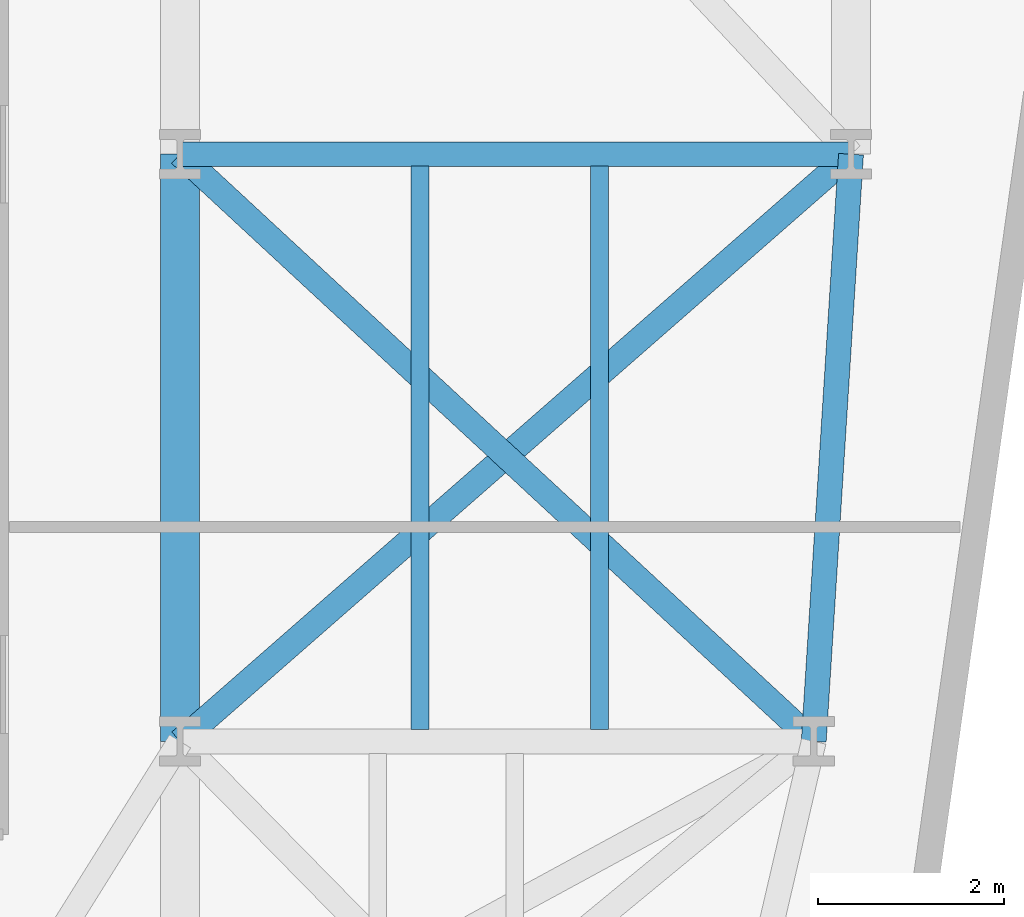
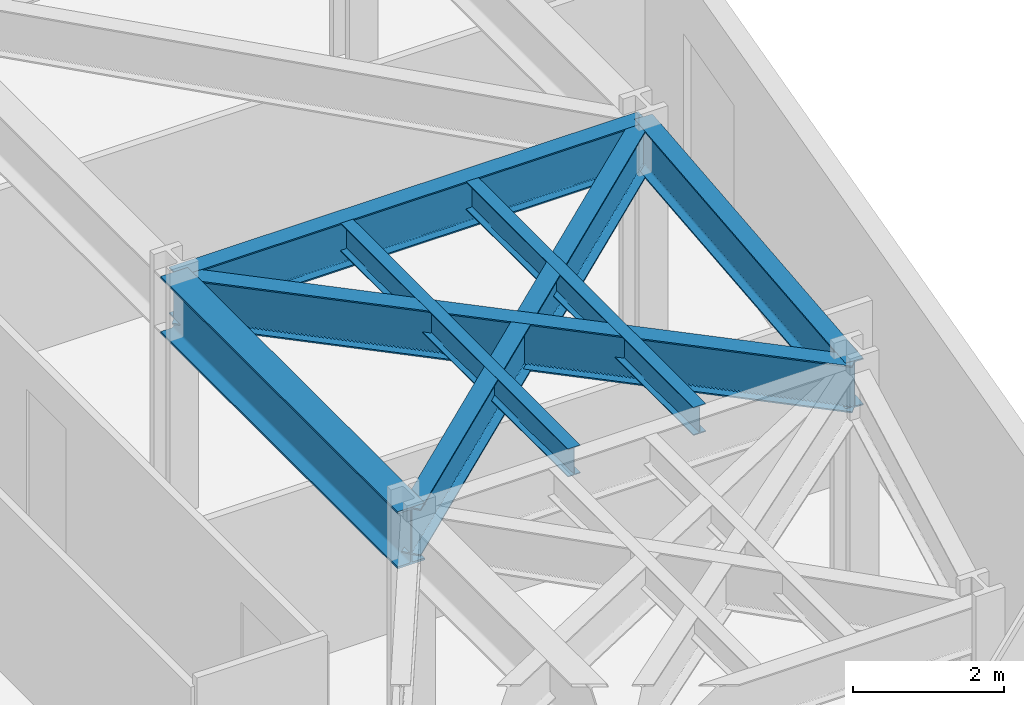
# One storey, part 14 of 24: 7 beams.
"""IFC4 building model written with IfcOpenShell, lengths in metres."""

import ifcopenshell
import ifcopenshell.guid

model = None  # the IFC model being written
_history = None  # IfcOwnerHistory: only IFC2X3 demands one
_inside = {}  # id of a spatial element -> (the spatial element, [elements in it])
_under = {}  # id of a project, library or spatial element -> (it, [spatial elements below it])
_declared = {}  # id of a project -> (the project, [libraries it declares])
_typed = {}  # id of a type object -> (the type object, [elements of that type])
_made_of = {}  # id of a material, layer set ... -> (it, [elements and type objects made of it])


def new_model(schema):
    """Start an empty IFC model of exactly this schema.

    Asked for "IFC4X3", IfcOpenShell would pick the latest addendum, in which some entities
    have other attributes; the version numbers below select the first issue.
    IFC2X3 requires an IfcOwnerHistory on every rooted entity: one is made here for all.
    """
    global model, _history
    if schema == "IFC4X3":
        model = ifcopenshell.file(schema_version=(4, 3, 0, 0))
    else:
        model = ifcopenshell.file(schema=schema)
    _inside.clear()
    _under.clear()
    _declared.clear()
    _typed.clear()
    _made_of.clear()
    _history = None
    if model.schema == "IFC2X3":
        org = make("IfcOrganization", Name="unknown")
        user = make(
            "IfcPersonAndOrganization",
            ThePerson=make("IfcPerson", FamilyName="unknown"),
            TheOrganization=org,
        )
        app = make(
            "IfcApplication",
            ApplicationDeveloper=org,
            Version="unknown",
            ApplicationFullName="unknown",
            ApplicationIdentifier="unknown",
        )
        _history = make(
            "IfcOwnerHistory",
            OwningUser=user,
            OwningApplication=app,
            ChangeAction="ADDED",
            CreationDate=0,
        )
    return model


def make(cls, **values):
    """One entity of the class cls with the attributes given. An attribute that is None is left unset."""
    return model.create_entity(
        cls, **{name: value for name, value in values.items() if value is not None}
    )


def rooted(cls, **values):
    """An entity with a GlobalId (a new one), such as an element, a storey or a relation."""
    return make(cls, GlobalId=ifcopenshell.guid.new(), OwnerHistory=_history, **values)


def si_unit(unit_type, name, prefix=None):
    """IfcSIUnit, for example si_unit("LENGTHUNIT", "METRE", prefix="MILLI")."""
    return make("IfcSIUnit", UnitType=unit_type, Prefix=prefix, Name=name)


def assignment(units):
    """IfcUnitAssignment: the units of a project."""
    return None if units is None else make("IfcUnitAssignment", Units=units)


def point(xyz):
    """IfcCartesianPoint."""
    return None if xyz is None else make("IfcCartesianPoint", Coordinates=xyz)


def direction(xyz):
    """IfcDirection."""
    return None if xyz is None else make("IfcDirection", DirectionRatios=xyz)


def frame(location, z_axis=None, x_axis=None):
    """IfcAxis2Placement3D, a coordinate frame: its origin and axes. An axis left out is left unset."""
    return make(
        "IfcAxis2Placement3D",
        Location=point(location),
        Axis=direction(z_axis),
        RefDirection=direction(x_axis),
    )


def frame_2d(location, x_axis=None):
    """IfcAxis2Placement2D, a coordinate frame in the plane: its origin and x axis."""
    return make(
        "IfcAxis2Placement2D", Location=point(location), RefDirection=direction(x_axis)
    )


def origin():
    """The frame at (0, 0, 0) with its axes left unset."""
    return frame((0.0, 0.0, 0.0))


def origin_2d():
    """The frame at (0, 0) in the plane with its x axis left unset."""
    return frame_2d((0.0, 0.0))


def place(relative_to, where):
    """IfcLocalPlacement: puts the frame where relative to a parent placement (None: the world)."""
    return make(
        "IfcLocalPlacement", PlacementRelTo=relative_to, RelativePlacement=where
    )


def context(
    kind, dimensions, precision=None, world=None, true_north=None, identifier=None
):
    """IfcGeometricRepresentationContext, for example the 3D "Model" context."""
    return make(
        "IfcGeometricRepresentationContext",
        ContextIdentifier=identifier,
        ContextType=kind,
        CoordinateSpaceDimension=dimensions,
        Precision=precision,
        WorldCoordinateSystem=world,
        TrueNorth=true_north,
    )


def subcontext(parent, identifier, kind, view, scale=None):
    """IfcGeometricRepresentationSubContext, for example "Body" below "Model"."""
    return make(
        "IfcGeometricRepresentationSubContext",
        ContextIdentifier=identifier,
        ContextType=kind,
        ParentContext=parent,
        TargetScale=scale,
        TargetView=view,
    )


def project(units=None, contexts=None):
    """IfcProject with its units and contexts."""
    return rooted(
        "IfcProject",
        Name="project",
        RepresentationContexts=contexts,
        UnitsInContext=assignment(units),
    )


def spatial(cls, under=None, at=None, **own):
    """A site, building, storey or space (cls), placed at a placement, below another one or the project."""
    s = rooted(cls, ObjectPlacement=at, **own)
    if under is not None:
        _under.setdefault(under.id(), (under, []))[1].append(s)
    return s


def profile(cls, at=None, kind="AREA", **sizes):
    """A parametric profile (cls). Its sizes go by their IFC names, for example OverallWidth=200.0."""
    return make(cls, ProfileType=kind, Position=at, **sizes)


def i_section(**sizes):
    """IfcIShapeProfileDef."""
    return profile("IfcIShapeProfileDef", **sizes)


def extrude(swept, where, along, depth):
    """IfcExtrudedAreaSolid: the profile swept, set in the frame where, extruded along a direction by depth."""
    return make(
        "IfcExtrudedAreaSolid",
        SweptArea=swept,
        Position=where,
        ExtrudedDirection=direction(along),
        Depth=depth,
    )


def shape(context_of_items, identifier, shape_type, items):
    """IfcShapeRepresentation: the items that make up one representation, for example the "Body"."""
    return make(
        "IfcShapeRepresentation",
        ContextOfItems=context_of_items,
        RepresentationIdentifier=identifier,
        RepresentationType=shape_type,
        Items=items,
    )


def material(Name=None, Category=None):
    """IfcMaterial."""
    return make("IfcMaterial", Name=Name, Category=Category)


def material_profile(
    of_material, cross_section, Name=None, Category=None, Priority=None
):
    """IfcMaterialProfile: a cross section and its material."""
    return make(
        "IfcMaterialProfile",
        Name=Name,
        Material=of_material,
        Profile=cross_section,
        Priority=Priority,
        Category=Category,
    )


def profile_set(profiles, Name=None, composite=None):
    """IfcMaterialProfileSet."""
    return make(
        "IfcMaterialProfileSet",
        Name=Name,
        MaterialProfiles=profiles,
        CompositeProfile=composite,
    )


def made_of(thing, what):
    """Note that an element or type object is made of a material, layer set ...; save() writes the relation."""
    if what is not None:
        _made_of.setdefault(what.id(), (what, []))[1].append(thing)
    return thing


def type_object(cls, material=None, **own):
    """A type object (cls), such as IfcWallType, which elements share."""
    return made_of(rooted(cls, **own), material)


def element(
    cls,
    number,
    at=None,
    inside=None,
    cuts=None,
    type_object=None,
    material=None,
    context=None,
    identifier="Body",
    shape_type=None,
    held_by="IfcProductDefinitionShape",
    body=None,
    shapes=None,
    **own,
):
    """One element of the class cls, such as IfcWall. Its Tag is "e" and its number.

    at: its placement. inside: the storey or other place that contains it. cuts: it is an
    opening in that element (IfcRelVoidsElement). A single representation is given by context,
    identifier, shape_type and body (its items); several are given by shapes. held_by: the class
    of the entity that holds the representations. save() writes the other relations.
    """
    e = rooted(cls, Tag="e%d" % number, ObjectPlacement=at, **own)
    if body is not None:
        shapes = [shape(context, identifier, shape_type, body)]
    if shapes is not None:
        e.Representation = make(held_by, Representations=shapes)
    if inside is not None:
        _inside.setdefault(inside.id(), (inside, []))[1].append(e)
    if cuts is not None:
        rooted(
            "IfcRelVoidsElement", RelatingBuildingElement=cuts, RelatedOpeningElement=e
        )
    if type_object is not None:
        _typed.setdefault(type_object.id(), (type_object, []))[1].append(e)
    return made_of(e, material)


def aggregate(whole, parts):
    """IfcRelAggregates: a whole, such as a stair, and the parts it consists of."""
    return rooted("IfcRelAggregates", RelatingObject=whole, RelatedObjects=parts)


def save(model, path):
    """Write the relations noted so far, then the file.

    IfcRelAggregates (storeys below a building ...), IfcRelContainedInSpatialStructure (elements
    in a storey), IfcRelDefinesByType, IfcRelAssociatesMaterial and IfcRelDeclares: one each for
    every whole, place, type object, material and project.
    """
    for whole, parts in _under.values():
        aggregate(whole, parts)
    for where, things in _inside.values():
        rooted(
            "IfcRelContainedInSpatialStructure",
            RelatedElements=things,
            RelatingStructure=where,
        )
    for kind, things in _typed.values():
        rooted("IfcRelDefinesByType", RelatedObjects=things, RelatingType=kind)
    for what, things in _made_of.values():
        rooted("IfcRelAssociatesMaterial", RelatedObjects=things, RelatingMaterial=what)
    for by, libraries in _declared.values():
        rooted("IfcRelDeclares", RelatingContext=by, RelatedDefinitions=libraries)
    model.write(path)


model = new_model("IFC4")

# Units and contexts
model_context = context("Model", 3, precision=1e-05, world=origin(), true_north=direction((0.0, 1.0)))
body_context = subcontext(model_context, "Body", "Model", "MODEL_VIEW")
ifc_project = project(units=[si_unit("LENGTHUNIT", "METRE"), si_unit("AREAUNIT", "SQUARE_METRE"), si_unit("VOLUMEUNIT", "CUBIC_METRE"), si_unit("PLANEANGLEUNIT", "RADIAN"), si_unit("MASSUNIT", "GRAM", prefix="KILO")], contexts=[model_context])

# Site, building, storey
site_placement = place(None, origin())
site = spatial("IfcSite", under=ifc_project, at=site_placement, CompositionType="ELEMENT")
building_placement = place(site_placement, origin())
building = spatial("IfcBuilding", under=site, at=building_placement, Name="Kravanh Interchange Tower", CompositionType="ELEMENT")
storey_placement = place(building_placement, frame((0.0, 0.0, 37.5)))
storey = spatial("IfcBuildingStorey", under=building, at=storey_placement, Name="L08", CompositionType="ELEMENT", Elevation=37.5)

# Beams
ifc_material_1 = material(Name="Structural Steel S355", Category="steel")
ifc_material_profile_1 = material_profile(ifc_material_1, i_section(OverallWidth=0.41796875, OverallDepth=0.927001953125, WebThickness=0.019287109375, FlangeThickness=0.031982421875, FilletRadius=0.028076171875, at=origin_2d()), Name="W36X231")
ifc_profile_set_1 = profile_set([ifc_material_profile_1], Name="Structural Steel S355")
beam_type_1 = type_object("IfcBeamType", Name="Floor Beam W36X231 Structural Steel S355", PredefinedType="BEAM", material=ifc_profile_set_1)
beam_1_placement = place(storey_placement, frame((56.0, 14.5, 3.276611328125), z_axis=(0.0, -1.0, 0.0), x_axis=(1.0, 0.0, 0.0)))
element("IfcBeam", 1, at=beam_1_placement, inside=storey, type_object=beam_type_1, Name="L08 Primary Floor Girder 42", PredefinedType="BEAM", context=body_context, shape_type="SweptSolid", body=[
    extrude(i_section(OverallWidth=0.41796875, OverallDepth=0.927001953125, WebThickness=0.019287109375, FlangeThickness=0.031982421875, FilletRadius=0.028076171875, at=origin_2d()), origin(), (0.0, 0.0, 1.0), 6.300048828125),
])
ifc_material_2 = material(Name="Structural Steel S355", Category="steel")
ifc_material_profile_2 = material_profile(ifc_material_2, i_section(OverallWidth=0.18994140625, OverallDepth=0.45703125, WebThickness=0.009033203125, FlangeThickness=0.014404296875, FilletRadius=0.01806640625, at=origin_2d()), Name="W18X50")
ifc_profile_set_2 = profile_set([ifc_material_profile_2], Name="Structural Steel S355")
beam_type_2 = type_object("IfcBeamType", Name="Floor Joist W18X50 Structural Steel S355", PredefinedType="JOIST", material=ifc_profile_set_2)
for number, where, z_axis, x_axis, name in (
    (2, (58.574951171875, 8.32861328125, 3.511474609375), (0.0, 1.0, 0.0), (-1.0, 0.0, 0.0), "L08 Secondary Floor Joist 11"),
    (3, (60.5, 8.32861328125, 3.511474609375), (0.0, 1.0, 0.0), (-1.0, 0.0, 0.0), "L08 Secondary Floor Joist 12"),
):
    element("IfcBeam", number, at=place(storey_placement, frame(where, z_axis=z_axis, x_axis=x_axis)), inside=storey, type_object=beam_type_2, Name=name, PredefinedType="JOIST", context=body_context, shape_type="SweptSolid", body=[
        extrude(i_section(OverallWidth=0.18994140625, OverallDepth=0.45703125, WebThickness=0.009033203125, FlangeThickness=0.014404296875, FilletRadius=0.01806640625, at=origin_2d()), origin(), (0.0, 0.0, 1.0), 6.04296875),
    ])
ifc_material_3 = material(Name="Structural Steel S355", Category="steel")
ifc_material_profile_3 = material_profile(ifc_material_3, i_section(OverallWidth=0.26708984375, OverallDepth=0.761962890625, WebThickness=0.014404296875, FlangeThickness=0.021484375, FilletRadius=0.02490234375, at=origin_2d()), Name="W30X116")
ifc_profile_set_3 = profile_set([ifc_material_profile_3], Name="Structural Steel S355")
beam_type_3 = type_object("IfcBeamType", Name="Floor Spandrel W30X116 Structural Steel S355", PredefinedType="SPANDREL", material=ifc_profile_set_3)
beam_2_placement = place(storey_placement, frame((56.0, 14.5, 3.35888671875), z_axis=(1.0, 0.0, 0.0), x_axis=(0.0, 1.0, 0.0)))
element("IfcBeam", 4, at=beam_2_placement, inside=storey, type_object=beam_type_3, Name="L08 Perimeter Spandrel 43", PredefinedType="SPANDREL", context=body_context, shape_type="SweptSolid", body=[
    extrude(i_section(OverallWidth=0.26708984375, OverallDepth=0.761962890625, WebThickness=0.014404296875, FlangeThickness=0.021484375, FilletRadius=0.02490234375, at=origin_2d()), origin(), (0.0, 0.0, 1.0), 7.199951171875),
])
beam_3_placement = place(storey_placement, frame((56.0, 14.5, 3.35888671875), z_axis=(0.733561267923, -0.679623326706, 0.0), x_axis=(0.679623326706, 0.733561267923, 0.0)))
element("IfcBeam", 5, at=beam_3_placement, inside=storey, type_object=beam_type_3, Name="L08 Perimeter Spandrel 45", PredefinedType="SPANDREL", context=body_context, shape_type="SweptSolid", body=[
    extrude(i_section(OverallWidth=0.26708984375, OverallDepth=0.761962890625, WebThickness=0.014404296875, FlangeThickness=0.021484375, FilletRadius=0.02490234375, at=origin_2d()), origin(), (0.0, 0.0, 1.0), 9.27001953125),
])
beam_4_placement = place(storey_placement, frame((63.199951171875, 14.5, 3.35888671875), z_axis=(-0.063348576418, -0.99799146182, 0.0), x_axis=(0.99799146182, -0.063348576418, 0.0)))
element("IfcBeam", 6, at=beam_4_placement, inside=storey, type_object=beam_type_3, Name="L08 Perimeter Spandrel 46", PredefinedType="SPANDREL", context=body_context, shape_type="SweptSolid", body=[
    extrude(i_section(OverallWidth=0.26708984375, OverallDepth=0.761962890625, WebThickness=0.014404296875, FlangeThickness=0.021484375, FilletRadius=0.02490234375, at=origin_2d()), origin(), (0.0, 0.0, 1.0), 6.312744140625),
])
beam_5_placement = place(storey_placement, frame((63.199951171875, 14.5, 3.35888671875), z_axis=(-0.752571952274, -0.658510027752, 0.0), x_axis=(0.658510027752, -0.752571952274, 0.0)))
element("IfcBeam", 7, at=beam_5_placement, inside=storey, type_object=beam_type_3, Name="L08 Perimeter Spandrel 48", PredefinedType="SPANDREL", context=body_context, shape_type="SweptSolid", body=[
    extrude(i_section(OverallWidth=0.26708984375, OverallDepth=0.761962890625, WebThickness=0.014404296875, FlangeThickness=0.021484375, FilletRadius=0.02490234375, at=origin_2d()), origin(), (0.0, 0.0, 1.0), 9.567138671875),
])

save(model, "model.ifc")
